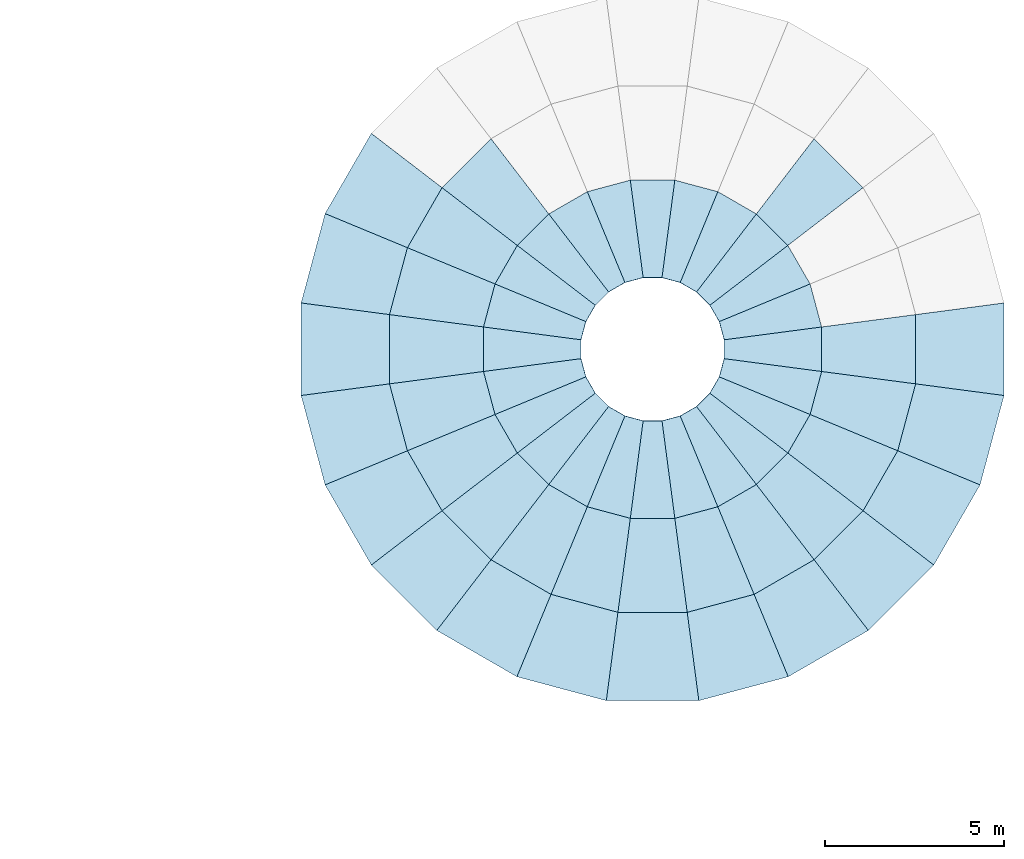
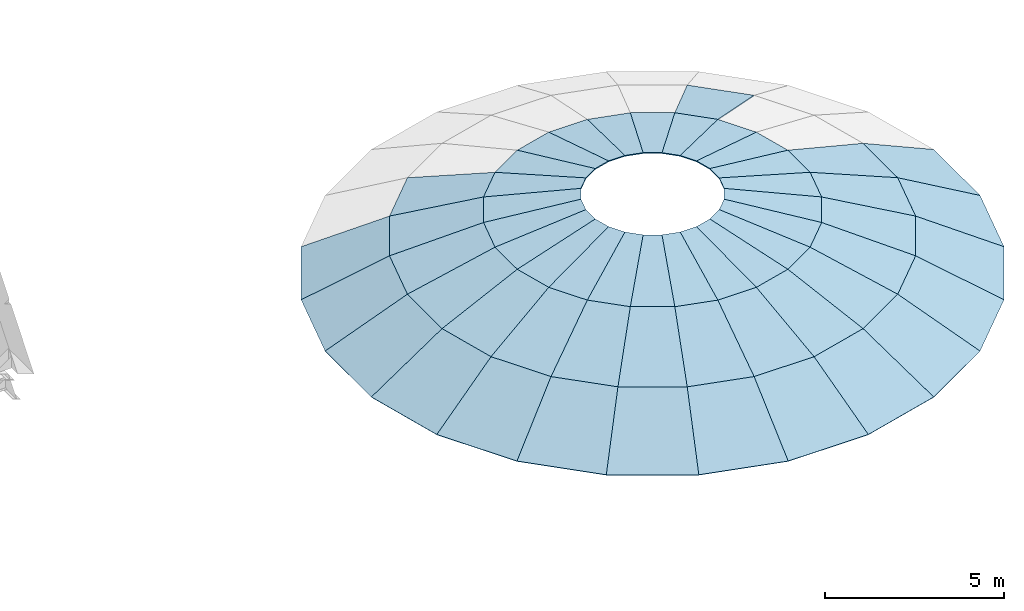
# One storey, part 4 of 11: 56 plates.
"""IFC4 building model written with IfcOpenShell, lengths in metres."""

from ifc_helpers import new_model, si_unit, direction, frame, origin, place, context, subcontext, project, spatial, polyline, outline, extrude, material, layer, layer_set, type_object, element, save


model = new_model("IFC4")

# Units and contexts
model_context = context("Model", 3, precision=1e-05, world=origin(), true_north=direction((0.0, 1.0)))
body_context = subcontext(model_context, "Body", "Model", "MODEL_VIEW")
ifc_project = project(units=[si_unit("LENGTHUNIT", "METRE"), si_unit("AREAUNIT", "SQUARE_METRE"), si_unit("VOLUMEUNIT", "CUBIC_METRE"), si_unit("PLANEANGLEUNIT", "RADIAN"), si_unit("MASSUNIT", "GRAM", prefix="KILO")], contexts=[model_context])

# Site, building, storey
site_placement = place(None, origin())
site = spatial("IfcSite", under=ifc_project, at=site_placement, CompositionType="ELEMENT")
building_placement = place(site_placement, origin())
building = spatial("IfcBuilding", under=site, at=building_placement, Name="Hortulan Conservatory and Botanical Research Centre", CompositionType="ELEMENT")
storey_placement = place(building_placement, frame((0.0, 0.0, 27.60009765625)))
storey = spatial("IfcBuildingStorey", under=building, at=storey_placement, Name="L06", CompositionType="ELEMENT", Elevation=27.60009765625)

# Plates
ifc_material = material(Name="Low-e laminated glass", Category="glass")
ifc_layer = layer(ifc_material, 0.030029296875)
ifc_layer_set = layer_set([ifc_layer], Name="Dome Glazing Panel 30")
plate_type = type_object("IfcPlateType", Name="Dome Glazing Panel 30", PredefinedType="SHEET", material=ifc_layer_set)
plate_1_placement = place(storey_placement, frame((46.145751953125, 24.02685546875, -6.249755859375), z_axis=(-0.39661213202, 0.228957415285, 0.888975432012), x_axis=(-0.499982581935, -0.866035459734, -1.5655538e-05)))
element("IfcPlate", 1, at=plate_1_placement, inside=storey, type_object=plate_type, Name="Dome glazing panel", PredefinedType="SHEET", context=body_context, shape_type="SweptSolid", body=[
    extrude(outline(polyline([(0.0, 0.0), (2.58452658716367, 0.0), (2.259783644354698, 2.775984362198881), (0.3248719292082159, 2.77582986174893), (0.0, 0.0)])), origin(), (0.0, 0.0, -1.0), 0.030029296875),
])
plate_2_placement = place(storey_placement, frame((44.853515625, 21.78857421875, -6.249755859375), z_axis=(-0.442362151671, 0.11851416223, 0.888971383184), x_axis=(-0.258757663768, -0.965942271163, 1.4896006e-05)))
element("IfcPlate", 2, at=plate_2_placement, inside=storey, type_object=plate_type, Name="Dome glazing panel", PredefinedType="SHEET", context=body_context, shape_type="SweptSolid", body=[
    extrude(outline(polyline([(0.0, 0.0), (2.584349844653736, -1.1102230246251565e-16), (2.259760737895723, 2.7757859676912995), (0.32518209730261355, 2.775932953417141), (0.0, 0.0)])), origin(), (0.0, 0.0, -1.0), 0.030029296875),
])
plate_3_placement = place(storey_placement, frame((44.184814453125, 19.292236328125, -6.249755859375), z_axis=(-0.457981865392, 0.0, 0.888961535148), x_axis=(0.0, -1.0, 0.0)))
element("IfcPlate", 3, at=plate_3_placement, inside=storey, type_object=plate_type, Name="Dome glazing panel", PredefinedType="SHEET", context=body_context, shape_type="SweptSolid", body=[
    extrude(outline(polyline([(0.0, 0.0), (2.58447265625, 0.0), (2.259521484375, 2.7757436056722233), (0.324951171875, 2.7757436056722233), (0.0, 0.0)])), origin(), (0.0, 0.0, -1.0), 0.030029296875),
])
plate_4_placement = place(storey_placement, frame((44.184814453125, 16.707763671875, -6.249755859375), z_axis=(-0.442362151671, -0.11851416223, 0.888971383184), x_axis=(0.258757663768, -0.965942271163, -1.4896006e-05)))
element("IfcPlate", 4, at=plate_4_placement, inside=storey, type_object=plate_type, Name="Dome glazing panel", PredefinedType="SHEET", context=body_context, shape_type="SweptSolid", body=[
    extrude(outline(polyline([(0.0, 0.0), (2.584349844653736, 1.1102230246251565e-16), (2.2591677473511225, 2.775932953417141), (0.3245891067580127, 2.7757859676912995), (0.0, 0.0)])), origin(), (0.0, 0.0, -1.0), 0.030029296875),
])
plate_5_placement = place(storey_placement, frame((44.853515625, 14.21142578125, -6.249755859375), z_axis=(-0.39661213202, -0.228957415285, 0.888975432012), x_axis=(0.499982581935, -0.866035459734, 1.5655538e-05)))
element("IfcPlate", 5, at=plate_5_placement, inside=storey, type_object=plate_type, Name="Dome glazing panel", PredefinedType="SHEET", context=body_context, shape_type="SweptSolid", body=[
    extrude(outline(polyline([(0.0, 0.0), (2.58452658716367, 0.0), (2.2596546579554535, 2.77582986174893), (0.3247429428089718, 2.775984362198881), (0.0, 0.0)])), origin(), (0.0, 0.0, -1.0), 0.030029296875),
])
plate_6_placement = place(storey_placement, frame((46.145751953125, 11.97314453125, -6.249755859375), z_axis=(-0.323832351393, -0.323832351393, 0.888968625083), x_axis=(0.707106781187, -0.707106781187, 0.0)))
element("IfcPlate", 6, at=plate_6_placement, inside=storey, type_object=plate_type, Name="Dome glazing panel", PredefinedType="SHEET", context=body_context, shape_type="SweptSolid", body=[
    extrude(outline(polyline([(0.0, 0.0), (2.584323367764311, 0.0), (2.2594271367601406, 2.7758270178300917), (0.32489623100417053, 2.7758270178300917), (0.0, 0.0)])), origin(), (0.0, 0.0, -1.0), 0.030029296875),
])
plate_7_placement = place(storey_placement, frame((47.97314453125, 10.145751953125, -6.249755859375), z_axis=(-0.228957415285, -0.39661213202, 0.888975432012), x_axis=(0.866035459734, -0.499982581935, -1.5655538e-05)))
element("IfcPlate", 7, at=plate_7_placement, inside=storey, type_object=plate_type, Name="Dome glazing panel", PredefinedType="SHEET", context=body_context, shape_type="SweptSolid", body=[
    extrude(outline(polyline([(0.0, 0.0), (2.58452658716367, 0.0), (2.259783644354698, 2.775984362198881), (0.3248719292082159, 2.77582986174893), (0.0, 0.0)])), origin(), (0.0, 0.0, -1.0), 0.030029296875),
])
plate_8_placement = place(storey_placement, frame((50.21142578125, 8.853515625, -6.249755859375), z_axis=(-0.11851416223, -0.442362151671, 0.888971383184), x_axis=(0.965942271163, -0.258757663768, 1.4896006e-05)))
element("IfcPlate", 8, at=plate_8_placement, inside=storey, type_object=plate_type, Name="Dome glazing panel", PredefinedType="SHEET", context=body_context, shape_type="SweptSolid", body=[
    extrude(outline(polyline([(0.0, 0.0), (2.584349844653736, -1.1102230246251565e-16), (2.259760737895723, 2.7757859676912995), (0.32518209730261355, 2.775932953417141), (0.0, 0.0)])), origin(), (0.0, 0.0, -1.0), 0.030029296875),
])
plate_9_placement = place(storey_placement, frame((52.707763671875, 8.184814453125, -6.249755859375), z_axis=(0.0, -0.457981865392, 0.888961535148), x_axis=(1.0, 0.0, 0.0)))
element("IfcPlate", 9, at=plate_9_placement, inside=storey, type_object=plate_type, Name="Dome glazing panel", PredefinedType="SHEET", context=body_context, shape_type="SweptSolid", body=[
    extrude(outline(polyline([(0.0, 0.0), (2.58447265625, 0.0), (2.259521484375, 2.7757436056722233), (0.324951171875, 2.7757436056722233), (0.0, 0.0)])), origin(), (0.0, 0.0, -1.0), 0.030029296875),
])
plate_10_placement = place(storey_placement, frame((55.292236328125, 8.184814453125, -6.249755859375), z_axis=(0.11851416223, -0.442362151671, 0.888971383184), x_axis=(0.965942271163, 0.258757663768, -1.4896006e-05)))
element("IfcPlate", 10, at=plate_10_placement, inside=storey, type_object=plate_type, Name="Dome glazing panel", PredefinedType="SHEET", context=body_context, shape_type="SweptSolid", body=[
    extrude(outline(polyline([(0.0, 0.0), (2.584349844653736, 1.1102230246251565e-16), (2.2591677473511225, 2.775932953417141), (0.3245891067580127, 2.7757859676912995), (0.0, 0.0)])), origin(), (0.0, 0.0, -1.0), 0.030029296875),
])
plate_11_placement = place(storey_placement, frame((57.78857421875, 8.853515625, -6.249755859375), z_axis=(0.228957415285, -0.39661213202, 0.888975432012), x_axis=(0.866035459734, 0.499982581935, 1.5655538e-05)))
element("IfcPlate", 11, at=plate_11_placement, inside=storey, type_object=plate_type, Name="Dome glazing panel", PredefinedType="SHEET", context=body_context, shape_type="SweptSolid", body=[
    extrude(outline(polyline([(0.0, 0.0), (2.58452658716367, 0.0), (2.2596546579554535, 2.77582986174893), (0.3247429428089718, 2.775984362198881), (0.0, 0.0)])), origin(), (0.0, 0.0, -1.0), 0.030029296875),
])
plate_12_placement = place(storey_placement, frame((60.02685546875, 10.145751953125, -6.249755859375), z_axis=(0.323832351393, -0.323832351393, 0.888968625083), x_axis=(0.707106781187, 0.707106781187, 0.0)))
element("IfcPlate", 12, at=plate_12_placement, inside=storey, type_object=plate_type, Name="Dome glazing panel", PredefinedType="SHEET", context=body_context, shape_type="SweptSolid", body=[
    extrude(outline(polyline([(0.0, 0.0), (2.584323367764311, 0.0), (2.2594271367601406, 2.7758270178300917), (0.32489623100417053, 2.7758270178300917), (0.0, 0.0)])), origin(), (0.0, 0.0, -1.0), 0.030029296875),
])
plate_13_placement = place(storey_placement, frame((61.854248046875, 11.97314453125, -6.249755859375), z_axis=(0.39661213202, -0.228957415285, 0.888975432012), x_axis=(0.499982581935, 0.866035459734, -1.5655538e-05)))
element("IfcPlate", 13, at=plate_13_placement, inside=storey, type_object=plate_type, Name="Dome glazing panel", PredefinedType="SHEET", context=body_context, shape_type="SweptSolid", body=[
    extrude(outline(polyline([(0.0, 0.0), (2.58452658716367, 0.0), (2.259783644354698, 2.775984362198881), (0.3248719292082159, 2.77582986174893), (0.0, 0.0)])), origin(), (0.0, 0.0, -1.0), 0.030029296875),
])
plate_14_placement = place(storey_placement, frame((63.146484375, 14.21142578125, -6.249755859375), z_axis=(0.442362151671, -0.11851416223, 0.888971383184), x_axis=(0.258757663768, 0.965942271163, 1.4896006e-05)))
element("IfcPlate", 14, at=plate_14_placement, inside=storey, type_object=plate_type, Name="Dome glazing panel", PredefinedType="SHEET", context=body_context, shape_type="SweptSolid", body=[
    extrude(outline(polyline([(0.0, 0.0), (2.584349844653736, -1.1102230246251565e-16), (2.259760737895723, 2.7757859676912995), (0.32518209730261355, 2.775932953417141), (0.0, 0.0)])), origin(), (0.0, 0.0, -1.0), 0.030029296875),
])
plate_15_placement = place(storey_placement, frame((63.815185546875, 16.707763671875, -6.249755859375), z_axis=(0.457981865392, 0.0, 0.888961535148), x_axis=(0.0, 1.0, 0.0)))
element("IfcPlate", 15, at=plate_15_placement, inside=storey, type_object=plate_type, Name="Dome glazing panel", PredefinedType="SHEET", context=body_context, shape_type="SweptSolid", body=[
    extrude(outline(polyline([(0.0, 0.0), (2.58447265625, 0.0), (2.259521484375, 2.7757436056722233), (0.324951171875, 2.7757436056722233), (0.0, 0.0)])), origin(), (0.0, 0.0, -1.0), 0.030029296875),
])
for number, where, z_axis, x_axis, name in (
    (16, (59.879638671875, 22.51171875, -4.978515625), (0.227982676214, 0.227982676214, 0.946598013252), (-0.707106781187, 0.707106781187, 0.0), "Dome glazing panel"),
    (17, (49.48828125, 23.879638671875, -4.978515625), (-0.227982676214, 0.227982676214, 0.946598013252), (-0.707106781187, -0.707106781187, 0.0), "Dome glazing panel"),
):
    element("IfcPlate", number, at=place(storey_placement, frame(where, z_axis=z_axis, x_axis=x_axis)), inside=storey, type_object=plate_type, Name=name, PredefinedType="SHEET", context=body_context, shape_type="SweptSolid", body=[
        extrude(outline(polyline([(0.0, 0.0), (1.9345309057559696, 0.0), (1.5890912892632252, 2.7737040807989604), (0.3454396164927447, 2.7737040807989604), (0.0, 0.0)])), origin(), (0.0, 0.0, -1.0), 0.030029296875),
    ])
plate_16_placement = place(storey_placement, frame((48.120361328125, 22.51171875, -4.978515625), z_axis=(-0.279245625921, 0.161196605774, 0.946592591715), x_axis=(-0.499914677444, -0.866074659125, 9.833573e-06)))
element("IfcPlate", 18, at=plate_16_placement, inside=storey, type_object=plate_type, Name="Dome glazing panel", PredefinedType="SHEET", context=body_context, shape_type="SweptSolid", body=[
    extrude(outline(polyline([(0.0, 0.0), (1.934911721745753, 0.0), (1.589355294275036, 2.773518685291514), (0.3461492357994726, 2.7736156119107176), (0.0, 0.0)])), origin(), (0.0, 0.0, -1.0), 0.030029296875),
])
plate_17_placement = place(storey_placement, frame((47.153076171875, 20.8359375, -4.978515625), z_axis=(-0.31144531276, 0.083446736018, 0.946593080161), x_axis=(-0.258829937286, -0.965922907632, -8.722738e-06)))
element("IfcPlate", 19, at=plate_17_placement, inside=storey, type_object=plate_type, Name="Dome glazing panel", PredefinedType="SHEET", context=body_context, shape_type="SweptSolid", body=[
    extrude(outline(polyline([(0.0, 0.0), (1.9345786465795007, 5.551115123125783e-17), (1.5889384464427643, 2.773622478157721), (0.34541340667400133, 2.7735365007159354), (0.0, 0.0)])), origin(), (0.0, 0.0, -1.0), 0.030029296875),
])
plate_18_placement = place(storey_placement, frame((46.65234375, 18.96728515625, -4.978515625), z_axis=(-0.322426590115, 0.0, 0.946594471771), x_axis=(0.0, -1.0, 0.0)))
element("IfcPlate", 20, at=plate_18_placement, inside=storey, type_object=plate_type, Name="Dome glazing panel", PredefinedType="SHEET", context=body_context, shape_type="SweptSolid", body=[
    extrude(outline(polyline([(0.0, 0.0), (1.9345703125, 0.0), (1.5888671875, 2.7736146359895373), (0.345703125, 2.7736146359895373), (0.0, 0.0)])), origin(), (0.0, 0.0, -1.0), 0.030029296875),
])
plate_19_placement = place(storey_placement, frame((46.65234375, 17.03271484375, -4.978515625), z_axis=(-0.31144531276, -0.083446736018, 0.946593080161), x_axis=(0.258829937286, -0.965922907632, 8.722738e-06)))
element("IfcPlate", 21, at=plate_19_placement, inside=storey, type_object=plate_type, Name="Dome glazing panel", PredefinedType="SHEET", context=body_context, shape_type="SweptSolid", body=[
    extrude(outline(polyline([(0.0, 0.0), (1.9345786465795007, -5.551115123125783e-17), (1.5891652399054994, 2.7735365007159345), (0.3456402001367369, 2.773622478157721), (0.0, 0.0)])), origin(), (0.0, 0.0, -1.0), 0.030029296875),
])
plate_20_placement = place(storey_placement, frame((47.153076171875, 15.1640625, -4.978515625), z_axis=(-0.279245625921, -0.161196605774, 0.946592591715), x_axis=(0.499914677444, -0.866074659125, -9.833573e-06)))
element("IfcPlate", 22, at=plate_20_placement, inside=storey, type_object=plate_type, Name="Dome glazing panel", PredefinedType="SHEET", context=body_context, shape_type="SweptSolid", body=[
    extrude(outline(polyline([(0.0, 0.0), (1.934911721745753, 0.0), (1.5887624859462803, 2.7736156119107176), (0.34555642747071696, 2.773518685291514), (0.0, 0.0)])), origin(), (0.0, 0.0, -1.0), 0.030029296875),
])
plate_21_placement = place(storey_placement, frame((48.120361328125, 13.48828125, -4.978515625), z_axis=(-0.227982676214, -0.227982676214, 0.946598013252), x_axis=(0.707106781187, -0.707106781187, 0.0)))
element("IfcPlate", 23, at=plate_21_placement, inside=storey, type_object=plate_type, Name="Dome glazing panel", PredefinedType="SHEET", context=body_context, shape_type="SweptSolid", body=[
    extrude(outline(polyline([(0.0, 0.0), (1.9345309057559696, 0.0), (1.5890912892632252, 2.7737040807989604), (0.3454396164927447, 2.7737040807989604), (0.0, 0.0)])), origin(), (0.0, 0.0, -1.0), 0.030029296875),
])
plate_22_placement = place(storey_placement, frame((49.48828125, 12.120361328125, -4.978515625), z_axis=(-0.161196605774, -0.279245625921, 0.946592591715), x_axis=(0.866074659125, -0.499914677444, 9.833573e-06)))
element("IfcPlate", 24, at=plate_22_placement, inside=storey, type_object=plate_type, Name="Dome glazing panel", PredefinedType="SHEET", context=body_context, shape_type="SweptSolid", body=[
    extrude(outline(polyline([(0.0, 0.0), (1.934911721745753, 0.0), (1.589355294275036, 2.773518685291514), (0.3461492357994726, 2.7736156119107176), (0.0, 0.0)])), origin(), (0.0, 0.0, -1.0), 0.030029296875),
])
plate_23_placement = place(storey_placement, frame((51.1640625, 11.153076171875, -4.978515625), z_axis=(-0.083446736018, -0.31144531276, 0.946593080161), x_axis=(0.965922907632, -0.258829937286, -8.722738e-06)))
element("IfcPlate", 25, at=plate_23_placement, inside=storey, type_object=plate_type, Name="Dome glazing panel", PredefinedType="SHEET", context=body_context, shape_type="SweptSolid", body=[
    extrude(outline(polyline([(0.0, 0.0), (1.9345786465795007, 5.551115123125783e-17), (1.5889384464427643, 2.773622478157721), (0.34541340667400133, 2.7735365007159354), (0.0, 0.0)])), origin(), (0.0, 0.0, -1.0), 0.030029296875),
])
plate_24_placement = place(storey_placement, frame((53.03271484375, 10.65234375, -4.978515625), z_axis=(0.0, -0.322426590115, 0.946594471771), x_axis=(1.0, 0.0, 0.0)))
element("IfcPlate", 26, at=plate_24_placement, inside=storey, type_object=plate_type, Name="Dome glazing panel", PredefinedType="SHEET", context=body_context, shape_type="SweptSolid", body=[
    extrude(outline(polyline([(0.0, 0.0), (1.9345703125, 0.0), (1.5888671875, 2.7736146359895373), (0.345703125, 2.7736146359895373), (0.0, 0.0)])), origin(), (0.0, 0.0, -1.0), 0.030029296875),
])
plate_25_placement = place(storey_placement, frame((54.96728515625, 10.65234375, -4.978515625), z_axis=(0.083446736018, -0.31144531276, 0.946593080161), x_axis=(0.965922907632, 0.258829937286, 8.722738e-06)))
element("IfcPlate", 27, at=plate_25_placement, inside=storey, type_object=plate_type, Name="Dome glazing panel", PredefinedType="SHEET", context=body_context, shape_type="SweptSolid", body=[
    extrude(outline(polyline([(0.0, 0.0), (1.9345786465795007, -5.551115123125783e-17), (1.5891652399054994, 2.7735365007159345), (0.3456402001367369, 2.773622478157721), (0.0, 0.0)])), origin(), (0.0, 0.0, -1.0), 0.030029296875),
])
plate_26_placement = place(storey_placement, frame((56.8359375, 11.153076171875, -4.978515625), z_axis=(0.161196605774, -0.279245625921, 0.946592591715), x_axis=(0.866074659125, 0.499914677444, -9.833573e-06)))
element("IfcPlate", 28, at=plate_26_placement, inside=storey, type_object=plate_type, Name="Dome glazing panel", PredefinedType="SHEET", context=body_context, shape_type="SweptSolid", body=[
    extrude(outline(polyline([(0.0, 0.0), (1.934911721745753, 0.0), (1.5887624859462803, 2.7736156119107176), (0.34555642747071696, 2.773518685291514), (0.0, 0.0)])), origin(), (0.0, 0.0, -1.0), 0.030029296875),
])
plate_27_placement = place(storey_placement, frame((58.51171875, 12.120361328125, -4.978515625), z_axis=(0.227982676214, -0.227982676214, 0.946598013252), x_axis=(0.707106781187, 0.707106781187, 0.0)))
element("IfcPlate", 29, at=plate_27_placement, inside=storey, type_object=plate_type, Name="Dome glazing panel", PredefinedType="SHEET", context=body_context, shape_type="SweptSolid", body=[
    extrude(outline(polyline([(0.0, 0.0), (1.9345309057559696, 0.0), (1.5890912892632252, 2.7737040807989604), (0.3454396164927447, 2.7737040807989604), (0.0, 0.0)])), origin(), (0.0, 0.0, -1.0), 0.030029296875),
])
plate_28_placement = place(storey_placement, frame((59.879638671875, 13.48828125, -4.978515625), z_axis=(0.279245625921, -0.161196605774, 0.946592591715), x_axis=(0.499914677444, 0.866074659125, 9.833573e-06)))
element("IfcPlate", 30, at=plate_28_placement, inside=storey, type_object=plate_type, Name="Dome glazing panel", PredefinedType="SHEET", context=body_context, shape_type="SweptSolid", body=[
    extrude(outline(polyline([(0.0, 0.0), (1.934911721745753, 0.0), (1.589355294275036, 2.773518685291514), (0.3461492357994726, 2.7736156119107176), (0.0, 0.0)])), origin(), (0.0, 0.0, -1.0), 0.030029296875),
])
plate_29_placement = place(storey_placement, frame((60.846923828125, 15.1640625, -4.978515625), z_axis=(0.31144531276, -0.083446736018, 0.946593080161), x_axis=(0.258829937286, 0.965922907632, -8.722738e-06)))
element("IfcPlate", 31, at=plate_29_placement, inside=storey, type_object=plate_type, Name="Dome glazing panel", PredefinedType="SHEET", context=body_context, shape_type="SweptSolid", body=[
    extrude(outline(polyline([(0.0, 0.0), (1.9345786465795007, 5.551115123125783e-17), (1.5889384464427643, 2.773622478157721), (0.34541340667400133, 2.7735365007159354), (0.0, 0.0)])), origin(), (0.0, 0.0, -1.0), 0.030029296875),
])
plate_30_placement = place(storey_placement, frame((61.34765625, 17.03271484375, -4.978515625), z_axis=(0.322426590115, 0.0, 0.946594471771), x_axis=(0.0, 1.0, 0.0)))
element("IfcPlate", 32, at=plate_30_placement, inside=storey, type_object=plate_type, Name="Dome glazing panel", PredefinedType="SHEET", context=body_context, shape_type="SweptSolid", body=[
    extrude(outline(polyline([(0.0, 0.0), (1.9345703125, 0.0), (1.5888671875, 2.7736146359895373), (0.345703125, 2.7736146359895373), (0.0, 0.0)])), origin(), (0.0, 0.0, -1.0), 0.030029296875),
])
plate_31_placement = place(storey_placement, frame((58.72216796875, 18.62158203125, -4.084228515625), z_axis=(0.189460064491, 0.050773349664, 0.98057480639), x_axis=(-0.258765844694, 0.965940079547, -1.8580724e-05)))
element("IfcPlate", 33, at=plate_31_placement, inside=storey, type_object=plate_type, Name="Dome glazing panel", PredefinedType="SHEET", context=body_context, shape_type="SweptSolid", body=[
    extrude(outline(polyline([(0.0, 0.0), (1.2435250426455395, -5.551115123125783e-17), (0.8850867524151513, 2.7757460611631366), (0.3583120373372386, 2.7755783619036363), (0.0, 0.0)])), origin(), (0.0, 0.0, -1.0), 0.030029296875),
])
plate_32_placement = place(storey_placement, frame((58.400390625, 19.82275390625, -4.084228515625), z_axis=(0.169852919158, 0.098075315697, 0.980576982345), x_axis=(-0.499985330091, 0.8660338732, -1.2826802e-05)))
element("IfcPlate", 34, at=plate_32_placement, inside=storey, type_object=plate_type, Name="Dome glazing panel", PredefinedType="SHEET", context=body_context, shape_type="SweptSolid", body=[
    extrude(outline(polyline([(0.0, 0.0), (1.2432060623101426, -1.1102230246251565e-16), (0.885012373162982, 2.775874038103549), (0.3583435630298715, 2.775758291907236), (0.0, 0.0)])), origin(), (0.0, 0.0, -1.0), 0.030029296875),
])
plate_33_placement = place(storey_placement, frame((57.77880859375, 20.8994140625, -4.084228515625), z_axis=(0.138687575658, 0.138687575658, 0.980577132466), x_axis=(-0.707106781187, 0.707106781187, 0.0)))
element("IfcPlate", 35, at=plate_33_placement, inside=storey, type_object=plate_type, Name="Dome glazing panel", PredefinedType="SHEET", context=body_context, shape_type="SweptSolid", body=[
    extrude(outline(polyline([(0.0, 0.0), (1.2436516727704807, 0.0), (0.8850919109236888, 2.7758267762616224), (0.3585597618467917, 2.7758267762616224), (0.0, 0.0)])), origin(), (0.0, 0.0, -1.0), 0.030029296875),
])
plate_34_placement = place(storey_placement, frame((56.8994140625, 21.77880859375, -4.084228515625), z_axis=(0.098075315697, 0.169852919158, 0.980576982345), x_axis=(-0.8660338732, 0.499985330091, 1.2826802e-05)))
element("IfcPlate", 36, at=plate_34_placement, inside=storey, type_object=plate_type, Name="Dome glazing panel", PredefinedType="SHEET", context=body_context, shape_type="SweptSolid", body=[
    extrude(outline(polyline([(0.0, 0.0), (1.2432060623101426, 1.1102230246251565e-16), (0.8848624992802714, 2.775758291907236), (0.3581936891471605, 2.775874038103549), (0.0, 0.0)])), origin(), (0.0, 0.0, -1.0), 0.030029296875),
])
plate_35_placement = place(storey_placement, frame((55.82275390625, 22.400390625, -4.084228515625), z_axis=(0.050773349664, 0.189460064491, 0.98057480639), x_axis=(-0.965940079547, 0.258765844694, 1.8580724e-05)))
element("IfcPlate", 37, at=plate_35_placement, inside=storey, type_object=plate_type, Name="Dome glazing panel", PredefinedType="SHEET", context=body_context, shape_type="SweptSolid", body=[
    extrude(outline(polyline([(0.0, 0.0), (1.2435250426455395, 5.551115123125783e-17), (0.8852130053083009, 2.775578361903636), (0.3584382902303883, 2.775746061163136), (0.0, 0.0)])), origin(), (0.0, 0.0, -1.0), 0.030029296875),
])
plate_36_placement = place(storey_placement, frame((54.62158203125, 22.72216796875, -4.084228515625), z_axis=(0.0, 0.196149965647, 0.980573908982), x_axis=(-1.0, 0.0, 0.0)))
element("IfcPlate", 38, at=plate_36_placement, inside=storey, type_object=plate_type, Name="Dome glazing panel", PredefinedType="SHEET", context=body_context, shape_type="SweptSolid", body=[
    extrude(outline(polyline([(0.0, 0.0), (1.2431640625, 0.0), (0.885009765625, 2.7755987208805304), (0.358154296875, 2.7755987208805304), (0.0, 0.0)])), origin(), (0.0, 0.0, -1.0), 0.030029296875),
])
plate_37_placement = place(storey_placement, frame((53.37841796875, 22.72216796875, -4.084228515625), z_axis=(-0.050773349664, 0.189460064491, 0.98057480639), x_axis=(-0.965940079547, -0.258765844694, -1.8580724e-05)))
element("IfcPlate", 39, at=plate_37_placement, inside=storey, type_object=plate_type, Name="Dome glazing panel", PredefinedType="SHEET", context=body_context, shape_type="SweptSolid", body=[
    extrude(outline(polyline([(0.0, 0.0), (1.2435250426455395, -5.551115123125783e-17), (0.8850867524151513, 2.7757460611631366), (0.3583120373372386, 2.7755783619036363), (0.0, 0.0)])), origin(), (0.0, 0.0, -1.0), 0.030029296875),
])
plate_38_placement = place(storey_placement, frame((52.17724609375, 22.400390625, -4.084228515625), z_axis=(-0.098075315697, 0.169852919158, 0.980576982345), x_axis=(-0.8660338732, -0.499985330091, -1.2826802e-05)))
element("IfcPlate", 40, at=plate_38_placement, inside=storey, type_object=plate_type, Name="Dome glazing panel", PredefinedType="SHEET", context=body_context, shape_type="SweptSolid", body=[
    extrude(outline(polyline([(0.0, 0.0), (1.2432060623101426, -1.1102230246251565e-16), (0.885012373162982, 2.775874038103549), (0.3583435630298715, 2.775758291907236), (0.0, 0.0)])), origin(), (0.0, 0.0, -1.0), 0.030029296875),
])
plate_39_placement = place(storey_placement, frame((51.1005859375, 21.77880859375, -4.084228515625), z_axis=(-0.138687575658, 0.138687575658, 0.980577132466), x_axis=(-0.707106781187, -0.707106781187, 0.0)))
element("IfcPlate", 41, at=plate_39_placement, inside=storey, type_object=plate_type, Name="Dome glazing panel", PredefinedType="SHEET", context=body_context, shape_type="SweptSolid", body=[
    extrude(outline(polyline([(0.0, 0.0), (1.2436516727704807, 0.0), (0.8850919109236888, 2.7758267762616224), (0.3585597618467917, 2.7758267762616224), (0.0, 0.0)])), origin(), (0.0, 0.0, -1.0), 0.030029296875),
])
plate_40_placement = place(storey_placement, frame((50.22119140625, 20.8994140625, -4.084228515625), z_axis=(-0.169852919158, 0.098075315697, 0.980576982345), x_axis=(-0.499985330091, -0.8660338732, 1.2826802e-05)))
element("IfcPlate", 42, at=plate_40_placement, inside=storey, type_object=plate_type, Name="Dome glazing panel", PredefinedType="SHEET", context=body_context, shape_type="SweptSolid", body=[
    extrude(outline(polyline([(0.0, 0.0), (1.2432060623101426, 1.1102230246251565e-16), (0.8848624992802714, 2.775758291907236), (0.3581936891471605, 2.775874038103549), (0.0, 0.0)])), origin(), (0.0, 0.0, -1.0), 0.030029296875),
])
plate_41_placement = place(storey_placement, frame((49.599609375, 19.82275390625, -4.084228515625), z_axis=(-0.189460064491, 0.050773349664, 0.98057480639), x_axis=(-0.258765844694, -0.965940079547, 1.8580724e-05)))
element("IfcPlate", 43, at=plate_41_placement, inside=storey, type_object=plate_type, Name="Dome glazing panel", PredefinedType="SHEET", context=body_context, shape_type="SweptSolid", body=[
    extrude(outline(polyline([(0.0, 0.0), (1.2435250426455395, 5.551115123125783e-17), (0.8852130053083009, 2.775578361903636), (0.3584382902303883, 2.775746061163136), (0.0, 0.0)])), origin(), (0.0, 0.0, -1.0), 0.030029296875),
])
plate_42_placement = place(storey_placement, frame((49.27783203125, 18.62158203125, -4.084228515625), z_axis=(-0.196149965647, 0.0, 0.980573908982), x_axis=(0.0, -1.0, 0.0)))
element("IfcPlate", 44, at=plate_42_placement, inside=storey, type_object=plate_type, Name="Dome glazing panel", PredefinedType="SHEET", context=body_context, shape_type="SweptSolid", body=[
    extrude(outline(polyline([(0.0, 0.0), (1.2431640625, 0.0), (0.885009765625, 2.7755987208805304), (0.358154296875, 2.7755987208805304), (0.0, 0.0)])), origin(), (0.0, 0.0, -1.0), 0.030029296875),
])
plate_43_placement = place(storey_placement, frame((49.27783203125, 17.37841796875, -4.084228515625), z_axis=(-0.189460064491, -0.050773349664, 0.98057480639), x_axis=(0.258765844694, -0.965940079547, -1.8580724e-05)))
element("IfcPlate", 45, at=plate_43_placement, inside=storey, type_object=plate_type, Name="Dome glazing panel", PredefinedType="SHEET", context=body_context, shape_type="SweptSolid", body=[
    extrude(outline(polyline([(0.0, 0.0), (1.2435250426455395, -5.551115123125783e-17), (0.8850867524151513, 2.7757460611631366), (0.3583120373372386, 2.7755783619036363), (0.0, 0.0)])), origin(), (0.0, 0.0, -1.0), 0.030029296875),
])
plate_44_placement = place(storey_placement, frame((49.599609375, 16.17724609375, -4.084228515625), z_axis=(-0.169852919158, -0.098075315697, 0.980576982345), x_axis=(0.499985330091, -0.8660338732, -1.2826802e-05)))
element("IfcPlate", 46, at=plate_44_placement, inside=storey, type_object=plate_type, Name="Dome glazing panel", PredefinedType="SHEET", context=body_context, shape_type="SweptSolid", body=[
    extrude(outline(polyline([(0.0, 0.0), (1.2432060623101426, -1.1102230246251565e-16), (0.885012373162982, 2.775874038103549), (0.3583435630298715, 2.775758291907236), (0.0, 0.0)])), origin(), (0.0, 0.0, -1.0), 0.030029296875),
])
plate_45_placement = place(storey_placement, frame((50.22119140625, 15.1005859375, -4.084228515625), z_axis=(-0.138687575658, -0.138687575658, 0.980577132466), x_axis=(0.707106781187, -0.707106781187, 0.0)))
element("IfcPlate", 47, at=plate_45_placement, inside=storey, type_object=plate_type, Name="Dome glazing panel", PredefinedType="SHEET", context=body_context, shape_type="SweptSolid", body=[
    extrude(outline(polyline([(0.0, 0.0), (1.2436516727704807, 0.0), (0.8850919109236888, 2.7758267762616224), (0.3585597618467917, 2.7758267762616224), (0.0, 0.0)])), origin(), (0.0, 0.0, -1.0), 0.030029296875),
])
plate_46_placement = place(storey_placement, frame((51.1005859375, 14.22119140625, -4.084228515625), z_axis=(-0.098075315697, -0.169852919158, 0.980576982345), x_axis=(0.8660338732, -0.499985330091, 1.2826802e-05)))
element("IfcPlate", 48, at=plate_46_placement, inside=storey, type_object=plate_type, Name="Dome glazing panel", PredefinedType="SHEET", context=body_context, shape_type="SweptSolid", body=[
    extrude(outline(polyline([(0.0, 0.0), (1.2432060623101426, 1.1102230246251565e-16), (0.8848624992802714, 2.775758291907236), (0.3581936891471605, 2.775874038103549), (0.0, 0.0)])), origin(), (0.0, 0.0, -1.0), 0.030029296875),
])
plate_47_placement = place(storey_placement, frame((52.17724609375, 13.599609375, -4.084228515625), z_axis=(-0.050773349664, -0.189460064491, 0.98057480639), x_axis=(0.965940079547, -0.258765844694, 1.8580724e-05)))
element("IfcPlate", 49, at=plate_47_placement, inside=storey, type_object=plate_type, Name="Dome glazing panel", PredefinedType="SHEET", context=body_context, shape_type="SweptSolid", body=[
    extrude(outline(polyline([(0.0, 0.0), (1.2435250426455395, 5.551115123125783e-17), (0.8852130053083009, 2.775578361903636), (0.3584382902303883, 2.775746061163136), (0.0, 0.0)])), origin(), (0.0, 0.0, -1.0), 0.030029296875),
])
plate_48_placement = place(storey_placement, frame((53.37841796875, 13.27783203125, -4.084228515625), z_axis=(0.0, -0.196149965647, 0.980573908982), x_axis=(1.0, 0.0, 0.0)))
element("IfcPlate", 50, at=plate_48_placement, inside=storey, type_object=plate_type, Name="Dome glazing panel", PredefinedType="SHEET", context=body_context, shape_type="SweptSolid", body=[
    extrude(outline(polyline([(0.0, 0.0), (1.2431640625, 0.0), (0.885009765625, 2.7755987208805304), (0.358154296875, 2.7755987208805304), (0.0, 0.0)])), origin(), (0.0, 0.0, -1.0), 0.030029296875),
])
plate_49_placement = place(storey_placement, frame((54.62158203125, 13.27783203125, -4.084228515625), z_axis=(0.050773349664, -0.189460064491, 0.98057480639), x_axis=(0.965940079547, 0.258765844694, -1.8580724e-05)))
element("IfcPlate", 51, at=plate_49_placement, inside=storey, type_object=plate_type, Name="Dome glazing panel", PredefinedType="SHEET", context=body_context, shape_type="SweptSolid", body=[
    extrude(outline(polyline([(0.0, 0.0), (1.2435250426455395, -5.551115123125783e-17), (0.8850867524151513, 2.7757460611631366), (0.3583120373372386, 2.7755783619036363), (0.0, 0.0)])), origin(), (0.0, 0.0, -1.0), 0.030029296875),
])
plate_50_placement = place(storey_placement, frame((55.82275390625, 13.599609375, -4.084228515625), z_axis=(0.098075315697, -0.169852919158, 0.980576982345), x_axis=(0.8660338732, 0.499985330091, -1.2826802e-05)))
element("IfcPlate", 52, at=plate_50_placement, inside=storey, type_object=plate_type, Name="Dome glazing panel", PredefinedType="SHEET", context=body_context, shape_type="SweptSolid", body=[
    extrude(outline(polyline([(0.0, 0.0), (1.2432060623101426, -1.1102230246251565e-16), (0.885012373162982, 2.775874038103549), (0.3583435630298715, 2.775758291907236), (0.0, 0.0)])), origin(), (0.0, 0.0, -1.0), 0.030029296875),
])
plate_51_placement = place(storey_placement, frame((56.8994140625, 14.22119140625, -4.084228515625), z_axis=(0.138687575658, -0.138687575658, 0.980577132466), x_axis=(0.707106781187, 0.707106781187, 0.0)))
element("IfcPlate", 53, at=plate_51_placement, inside=storey, type_object=plate_type, Name="Dome glazing panel", PredefinedType="SHEET", context=body_context, shape_type="SweptSolid", body=[
    extrude(outline(polyline([(0.0, 0.0), (1.2436516727704807, 0.0), (0.8850919109236888, 2.7758267762616224), (0.3585597618467917, 2.7758267762616224), (0.0, 0.0)])), origin(), (0.0, 0.0, -1.0), 0.030029296875),
])
plate_52_placement = place(storey_placement, frame((57.77880859375, 15.1005859375, -4.084228515625), z_axis=(0.169852919158, -0.098075315697, 0.980576982345), x_axis=(0.499985330091, 0.8660338732, 1.2826802e-05)))
element("IfcPlate", 54, at=plate_52_placement, inside=storey, type_object=plate_type, Name="Dome glazing panel", PredefinedType="SHEET", context=body_context, shape_type="SweptSolid", body=[
    extrude(outline(polyline([(0.0, 0.0), (1.2432060623101426, 1.1102230246251565e-16), (0.8848624992802714, 2.775758291907236), (0.3581936891471605, 2.775874038103549), (0.0, 0.0)])), origin(), (0.0, 0.0, -1.0), 0.030029296875),
])
plate_53_placement = place(storey_placement, frame((58.400390625, 16.17724609375, -4.084228515625), z_axis=(0.189460064491, -0.050773349664, 0.98057480639), x_axis=(0.258765844694, 0.965940079547, 1.8580724e-05)))
element("IfcPlate", 55, at=plate_53_placement, inside=storey, type_object=plate_type, Name="Dome glazing panel", PredefinedType="SHEET", context=body_context, shape_type="SweptSolid", body=[
    extrude(outline(polyline([(0.0, 0.0), (1.2435250426455395, 5.551115123125783e-17), (0.8852130053083009, 2.775578361903636), (0.3584382902303883, 2.775746061163136), (0.0, 0.0)])), origin(), (0.0, 0.0, -1.0), 0.030029296875),
])
plate_54_placement = place(storey_placement, frame((58.72216796875, 17.37841796875, -4.084228515625), z_axis=(0.196149965647, 0.0, 0.980573908982), x_axis=(0.0, 1.0, 0.0)))
element("IfcPlate", 56, at=plate_54_placement, inside=storey, type_object=plate_type, Name="Dome glazing panel", PredefinedType="SHEET", context=body_context, shape_type="SweptSolid", body=[
    extrude(outline(polyline([(0.0, 0.0), (1.2431640625, 0.0), (0.885009765625, 2.7755987208805304), (0.358154296875, 2.7755987208805304), (0.0, 0.0)])), origin(), (0.0, 0.0, -1.0), 0.030029296875),
])

save(model, "model.ifc")
